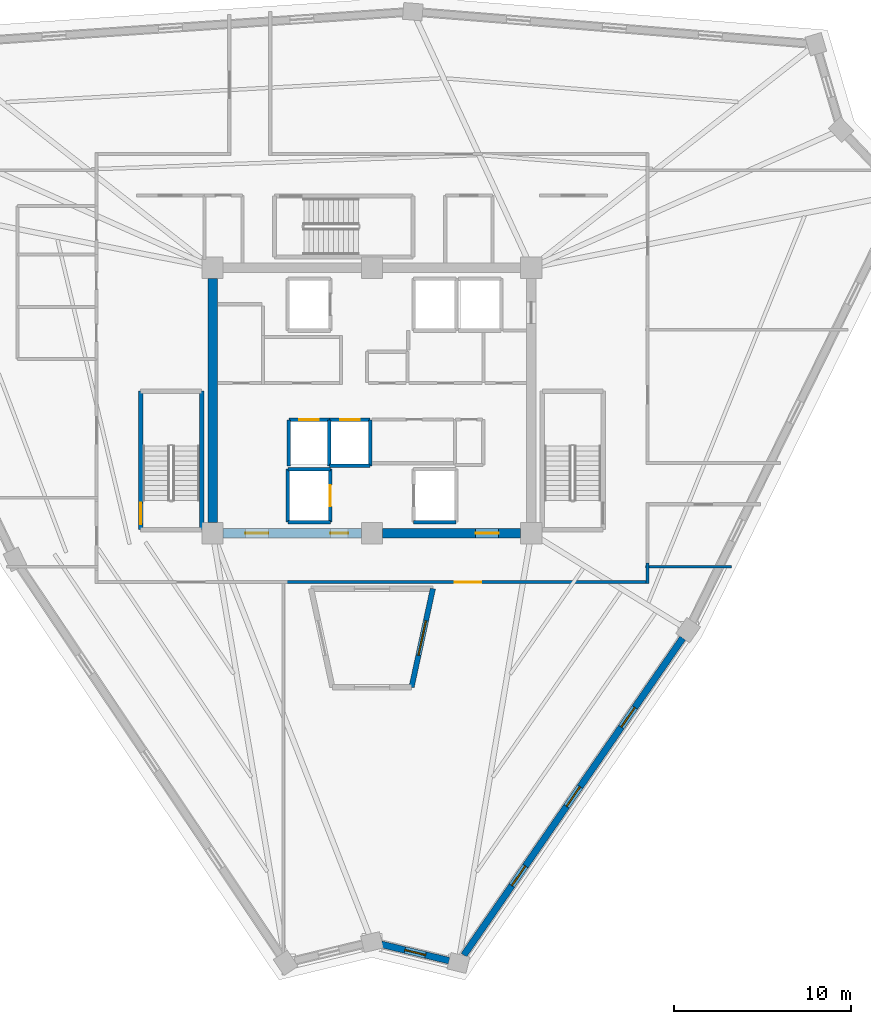
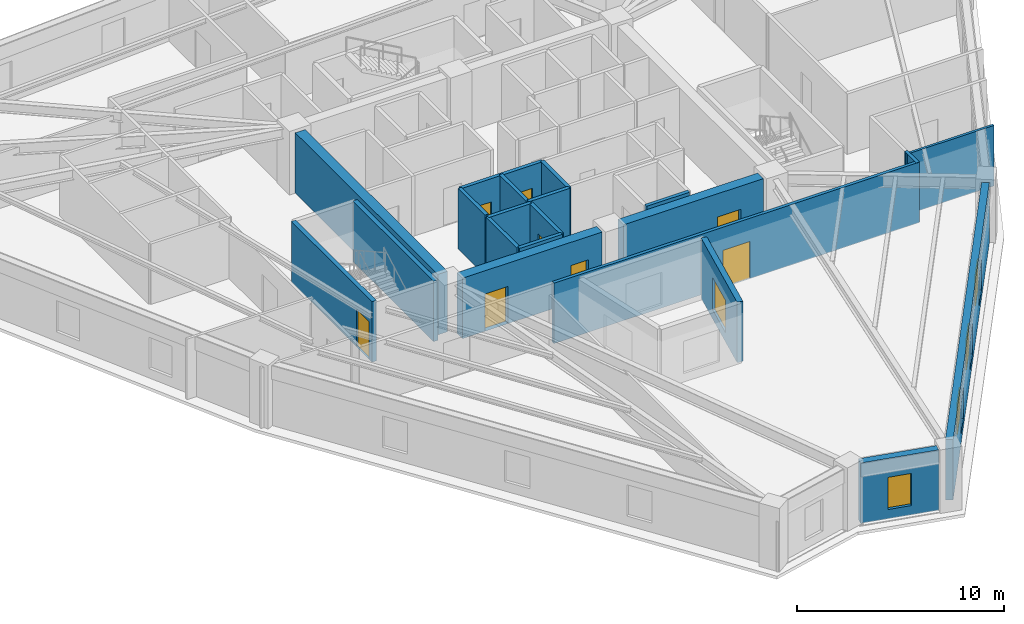
# One storey, part 3 of 10: 22 walls, 8 doors, 5 windows, 13 openings.
"""IFC4 building model written with IfcOpenShell, lengths in metres."""

import ifcopenshell
import ifcopenshell.guid

model = None  # the IFC model being written
_history = None  # IfcOwnerHistory: only IFC2X3 demands one
_inside = {}  # id of a spatial element -> (the spatial element, [elements in it])
_under = {}  # id of a project, library or spatial element -> (it, [spatial elements below it])
_declared = {}  # id of a project -> (the project, [libraries it declares])
_typed = {}  # id of a type object -> (the type object, [elements of that type])
_made_of = {}  # id of a material, layer set ... -> (it, [elements and type objects made of it])


def new_model(schema):
    """Start an empty IFC model of exactly this schema.

    Asked for "IFC4X3", IfcOpenShell would pick the latest addendum, in which some entities
    have other attributes; the version numbers below select the first issue.
    IFC2X3 requires an IfcOwnerHistory on every rooted entity: one is made here for all.
    """
    global model, _history
    if schema == "IFC4X3":
        model = ifcopenshell.file(schema_version=(4, 3, 0, 0))
    else:
        model = ifcopenshell.file(schema=schema)
    _inside.clear()
    _under.clear()
    _declared.clear()
    _typed.clear()
    _made_of.clear()
    _history = None
    if model.schema == "IFC2X3":
        org = make("IfcOrganization", Name="unknown")
        user = make(
            "IfcPersonAndOrganization",
            ThePerson=make("IfcPerson", FamilyName="unknown"),
            TheOrganization=org,
        )
        app = make(
            "IfcApplication",
            ApplicationDeveloper=org,
            Version="unknown",
            ApplicationFullName="unknown",
            ApplicationIdentifier="unknown",
        )
        _history = make(
            "IfcOwnerHistory",
            OwningUser=user,
            OwningApplication=app,
            ChangeAction="ADDED",
            CreationDate=0,
        )
    return model


def make(cls, **values):
    """One entity of the class cls with the attributes given. An attribute that is None is left unset."""
    return model.create_entity(
        cls, **{name: value for name, value in values.items() if value is not None}
    )


def rooted(cls, **values):
    """An entity with a GlobalId (a new one), such as an element, a storey or a relation."""
    return make(cls, GlobalId=ifcopenshell.guid.new(), OwnerHistory=_history, **values)


def si_unit(unit_type, name, prefix=None):
    """IfcSIUnit, for example si_unit("LENGTHUNIT", "METRE", prefix="MILLI")."""
    return make("IfcSIUnit", UnitType=unit_type, Prefix=prefix, Name=name)


def assignment(units):
    """IfcUnitAssignment: the units of a project."""
    return None if units is None else make("IfcUnitAssignment", Units=units)


def point(xyz):
    """IfcCartesianPoint."""
    return None if xyz is None else make("IfcCartesianPoint", Coordinates=xyz)


def direction(xyz):
    """IfcDirection."""
    return None if xyz is None else make("IfcDirection", DirectionRatios=xyz)


def frame(location, z_axis=None, x_axis=None):
    """IfcAxis2Placement3D, a coordinate frame: its origin and axes. An axis left out is left unset."""
    return make(
        "IfcAxis2Placement3D",
        Location=point(location),
        Axis=direction(z_axis),
        RefDirection=direction(x_axis),
    )


def frame_2d(location, x_axis=None):
    """IfcAxis2Placement2D, a coordinate frame in the plane: its origin and x axis."""
    return make(
        "IfcAxis2Placement2D", Location=point(location), RefDirection=direction(x_axis)
    )


def origin():
    """The frame at (0, 0, 0) with its axes left unset."""
    return frame((0.0, 0.0, 0.0))


def place(relative_to, where):
    """IfcLocalPlacement: puts the frame where relative to a parent placement (None: the world)."""
    return make(
        "IfcLocalPlacement", PlacementRelTo=relative_to, RelativePlacement=where
    )


def context(
    kind, dimensions, precision=None, world=None, true_north=None, identifier=None
):
    """IfcGeometricRepresentationContext, for example the 3D "Model" context."""
    return make(
        "IfcGeometricRepresentationContext",
        ContextIdentifier=identifier,
        ContextType=kind,
        CoordinateSpaceDimension=dimensions,
        Precision=precision,
        WorldCoordinateSystem=world,
        TrueNorth=true_north,
    )


def subcontext(parent, identifier, kind, view, scale=None):
    """IfcGeometricRepresentationSubContext, for example "Body" below "Model"."""
    return make(
        "IfcGeometricRepresentationSubContext",
        ContextIdentifier=identifier,
        ContextType=kind,
        ParentContext=parent,
        TargetScale=scale,
        TargetView=view,
    )


def project(units=None, contexts=None):
    """IfcProject with its units and contexts."""
    return rooted(
        "IfcProject",
        Name="project",
        RepresentationContexts=contexts,
        UnitsInContext=assignment(units),
    )


def spatial(cls, under=None, at=None, **own):
    """A site, building, storey or space (cls), placed at a placement, below another one or the project."""
    s = rooted(cls, ObjectPlacement=at, **own)
    if under is not None:
        _under.setdefault(under.id(), (under, []))[1].append(s)
    return s


def profile(cls, at=None, kind="AREA", **sizes):
    """A parametric profile (cls). Its sizes go by their IFC names, for example OverallWidth=200.0."""
    return make(cls, ProfileType=kind, Position=at, **sizes)


def rectangle(**sizes):
    """IfcRectangleProfileDef."""
    return profile("IfcRectangleProfileDef", **sizes)


def extrude(swept, where, along, depth):
    """IfcExtrudedAreaSolid: the profile swept, set in the frame where, extruded along a direction by depth."""
    return make(
        "IfcExtrudedAreaSolid",
        SweptArea=swept,
        Position=where,
        ExtrudedDirection=direction(along),
        Depth=depth,
    )


def shape(context_of_items, identifier, shape_type, items):
    """IfcShapeRepresentation: the items that make up one representation, for example the "Body"."""
    return make(
        "IfcShapeRepresentation",
        ContextOfItems=context_of_items,
        RepresentationIdentifier=identifier,
        RepresentationType=shape_type,
        Items=items,
    )


def source(mapping_origin, context_of_items, identifier, shape_type, items):
    """IfcRepresentationMap: a shape defined once, which mapped items show again and again."""
    return make(
        "IfcRepresentationMap",
        MappingOrigin=mapping_origin,
        MappedRepresentation=shape(context_of_items, identifier, shape_type, items),
    )


def transform(
    local_origin,
    x_axis=None,
    y_axis=None,
    z_axis=None,
    scale=None,
    scale2=None,
    scale3=None,
    uniform=True,
):
    """IfcCartesianTransformationOperator3D, or its non-uniform kind. x_axis, y_axis, z_axis: its Axis1, 2, 3."""
    if uniform:
        return make(
            "IfcCartesianTransformationOperator3D",
            Axis1=direction(x_axis),
            Axis2=direction(y_axis),
            LocalOrigin=point(local_origin),
            Scale=scale,
            Axis3=direction(z_axis),
        )
    return make(
        "IfcCartesianTransformationOperator3DnonUniform",
        Axis1=direction(x_axis),
        Axis2=direction(y_axis),
        LocalOrigin=point(local_origin),
        Scale=scale,
        Axis3=direction(z_axis),
        Scale2=scale2,
        Scale3=scale3,
    )


def mapped(mapping_source, mapping_target):
    """IfcMappedItem: shows the shape of a source again, moved by a transform."""
    return make(
        "IfcMappedItem", MappingSource=mapping_source, MappingTarget=mapping_target
    )


def material(Name=None, Category=None):
    """IfcMaterial."""
    return make("IfcMaterial", Name=Name, Category=Category)


def layer(
    of_material, thickness, ventilated=None, Name=None, Category=None, Priority=None
):
    """IfcMaterialLayer: one layer of a wall or slab, of a material (None: an air gap)."""
    return make(
        "IfcMaterialLayer",
        Material=of_material,
        LayerThickness=thickness,
        IsVentilated=ventilated,
        Name=Name,
        Category=Category,
        Priority=Priority,
    )


def layer_set(layers, Name=None):
    """IfcMaterialLayerSet."""
    return make("IfcMaterialLayerSet", MaterialLayers=layers, LayerSetName=Name)


def made_of(thing, what):
    """Note that an element or type object is made of a material, layer set ...; save() writes the relation."""
    if what is not None:
        _made_of.setdefault(what.id(), (what, []))[1].append(thing)
    return thing


def type_object(cls, material=None, **own):
    """A type object (cls), such as IfcWallType, which elements share."""
    return made_of(rooted(cls, **own), material)


def element(
    cls,
    number,
    at=None,
    inside=None,
    cuts=None,
    type_object=None,
    material=None,
    context=None,
    identifier="Body",
    shape_type=None,
    held_by="IfcProductDefinitionShape",
    body=None,
    shapes=None,
    **own,
):
    """One element of the class cls, such as IfcWall. Its Tag is "e" and its number.

    at: its placement. inside: the storey or other place that contains it. cuts: it is an
    opening in that element (IfcRelVoidsElement). A single representation is given by context,
    identifier, shape_type and body (its items); several are given by shapes. held_by: the class
    of the entity that holds the representations. save() writes the other relations.
    """
    e = rooted(cls, Tag="e%d" % number, ObjectPlacement=at, **own)
    if body is not None:
        shapes = [shape(context, identifier, shape_type, body)]
    if shapes is not None:
        e.Representation = make(held_by, Representations=shapes)
    if inside is not None:
        _inside.setdefault(inside.id(), (inside, []))[1].append(e)
    if cuts is not None:
        rooted(
            "IfcRelVoidsElement", RelatingBuildingElement=cuts, RelatedOpeningElement=e
        )
    if type_object is not None:
        _typed.setdefault(type_object.id(), (type_object, []))[1].append(e)
    return made_of(e, material)


def fill(opening, filler):
    """IfcRelFillsElement: the door or window that sits in an opening."""
    return rooted(
        "IfcRelFillsElement",
        RelatingOpeningElement=opening,
        RelatedBuildingElement=filler,
    )


def aggregate(whole, parts):
    """IfcRelAggregates: a whole, such as a stair, and the parts it consists of."""
    return rooted("IfcRelAggregates", RelatingObject=whole, RelatedObjects=parts)


def save(model, path):
    """Write the relations noted so far, then the file.

    IfcRelAggregates (storeys below a building ...), IfcRelContainedInSpatialStructure (elements
    in a storey), IfcRelDefinesByType, IfcRelAssociatesMaterial and IfcRelDeclares: one each for
    every whole, place, type object, material and project.
    """
    for whole, parts in _under.values():
        aggregate(whole, parts)
    for where, things in _inside.values():
        rooted(
            "IfcRelContainedInSpatialStructure",
            RelatedElements=things,
            RelatingStructure=where,
        )
    for kind, things in _typed.values():
        rooted("IfcRelDefinesByType", RelatedObjects=things, RelatingType=kind)
    for what, things in _made_of.values():
        rooted("IfcRelAssociatesMaterial", RelatedObjects=things, RelatingMaterial=what)
    for by, libraries in _declared.values():
        rooted("IfcRelDeclares", RelatingContext=by, RelatedDefinitions=libraries)
    model.write(path)


model = new_model("IFC4")

# Units and contexts
model_context = context("Model", 3, precision=1e-05, world=origin(), true_north=direction((0.0, 1.0)))
body_context = subcontext(model_context, "Body", "Model", "MODEL_VIEW")
ifc_project = project(units=[si_unit("LENGTHUNIT", "METRE"), si_unit("AREAUNIT", "SQUARE_METRE"), si_unit("VOLUMEUNIT", "CUBIC_METRE"), si_unit("PLANEANGLEUNIT", "RADIAN"), si_unit("MASSUNIT", "GRAM", prefix="KILO")], contexts=[model_context])

# Site, building, storey
site_placement = place(None, origin())
site = spatial("IfcSite", under=ifc_project, at=site_placement, CompositionType="ELEMENT")
building_placement = place(site_placement, origin())
building = spatial("IfcBuilding", under=site, at=building_placement, Name="Liaohun Quay Tower", CompositionType="ELEMENT")
storey_placement = place(building_placement, frame((0.0, 0.0, 309.0)))
storey = spatial("IfcBuildingStorey", under=building, at=storey_placement, Name="L80", CompositionType="ELEMENT", Elevation=309.0)

# Wall, opening, window
ifc_material_1 = material(Name="Concrete C50", Category="concrete")
ifc_layer_1 = layer(ifc_material_1, 0.300048828125, Name="Concrete C50", Category="concrete")
ifc_layer_set_1 = layer_set([ifc_layer_1], Name="Concrete C50")
wall_type_1 = type_object("IfcWallType", Name="WAL-ATR-300", PredefinedType="SOLIDWALL", material=ifc_layer_set_1)
wall_1_placement = place(storey_placement, frame((63.44091796875, 43.3701171875, 0.0), z_axis=(0.0, 0.0, 1.0), x_axis=(-0.21145116659, -0.977388563545, 0.0)))
wall_1 = element("IfcWall", 1, at=wall_1_placement, inside=storey, type_object=wall_type_1, Name="L80 Atrium Fire Compartment Wall 3", PredefinedType="SOLIDWALL", context=body_context, shape_type="SweptSolid", body=[
    extrude(rectangle(XDim=5.697998046875, YDim=0.300048828125, at=frame_2d((2.84912109375, 0.0))), origin(), (0.0, 0.0, 1.0), 3.570068359375),
])
shared_shape_1 = source(origin(), body_context, "Body", "SweptSolid", [
    extrude(rectangle(XDim=2.0, YDim=1.89990234375, at=frame_2d((1.0, 0.949951171875))), frame((0.0, 0.159912109375, 0.0), z_axis=(0.0, -1.0, 0.0), x_axis=(1.0, 0.0, 0.0)), (0.0, 0.0, 1.0), 0.320068359375),
])
opening_1_placement = place(wall_1_placement, frame((1.84912109375, 0.0, 0.550048828125)))
opening_1 = element("IfcOpeningElement", 2, at=opening_1_placement, cuts=wall_1, Name="Opening W07", PredefinedType="OPENING", context=body_context, shape_type="MappedRepresentation", body=[
    mapped(shared_shape_1, transform((0.0, 0.0, 0.0), x_axis=(1.0, 0.0, 0.0), y_axis=(0.0, 1.0, 0.0), z_axis=(0.0, 0.0, 1.0), scale=1.0)),
])
ifc_material_2 = material(Name="Class A 180-min fire-resistant insulated glazing", Category="glass")
window_type_1 = type_object("IfcWindowType", Name="WIN-ATR-FIR", PartitioningType="DOUBLE_PANEL_VERTICAL", PredefinedType="WINDOW", material=ifc_material_2)
shared_shape_2 = source(origin(), body_context, "Body", "SweptSolid", [
    extrude(rectangle(XDim=2.0, YDim=1.89990234375, at=frame_2d((1.0, 0.949951171875))), frame((0.0, 0.030029296875, 0.0), z_axis=(0.0, -1.0, 0.0), x_axis=(1.0, 0.0, 0.0)), (0.0, 0.0, 1.0), 0.06005859375),
])
window_1_placement = place(opening_1_placement, origin())
window_1 = element("IfcWindow", 3, at=window_1_placement, inside=storey, type_object=window_type_1, Name="L80 Atrium Fire-Resistant Glazing W07-3", OverallHeight=1.89990234375, OverallWidth=2.0, PartitioningType="DOUBLE_PANEL_VERTICAL", PredefinedType="WINDOW", context=body_context, shape_type="MappedRepresentation", body=[
    mapped(shared_shape_2, transform((0.0, 0.0, 0.0), x_axis=(1.0, 0.0, 0.0), y_axis=(0.0, 1.0, 0.0), z_axis=(0.0, 0.0, 1.0), scale=1.0)),
])
fill(opening_1, window_1)

# Wall, opening, door
ifc_layer_2 = layer(ifc_material_1, 0.550048828125, Name="Concrete C50", Category="concrete")
ifc_layer_set_2 = layer_set([ifc_layer_2], Name="Concrete C50")
wall_type_2 = type_object("IfcWallType", Name="WAL-COR-Z4", PredefinedType="SHEAR", material=ifc_layer_set_2)
wall_2_placement = place(storey_placement, frame((68.39990234375, 46.5, 0.0), z_axis=(0.0, 0.0, 1.0), x_axis=(-1.0, 0.0, 0.0)))
wall_2 = element("IfcWall", 4, at=wall_2_placement, inside=storey, type_object=wall_type_2, Name="L80 Central Core Shear Wall S-E", PredefinedType="SHEAR", context=body_context, shape_type="SweptSolid", body=[
    extrude(rectangle(XDim=7.7998046875, YDim=0.550048828125, at=frame_2d((3.89990234375, 0.0))), origin(), (0.0, 0.0, 1.0), 3.570068359375),
])
shared_shape_3 = source(origin(), body_context, "Body", "SweptSolid", [
    extrude(rectangle(XDim=1.300048828125, YDim=2.199951171875, at=frame_2d((0.64990234375, 1.10009765625))), frame((0.0, 0.284912109375, 0.0), z_axis=(0.0, -1.0, 0.0), x_axis=(1.0, 0.0, 0.0)), (0.0, 0.0, 1.0), 0.570068359375),
])
opening_2_placement = place(wall_2_placement, frame((1.25, 0.0, 0.0)))
opening_2 = element("IfcOpeningElement", 5, at=opening_2_placement, cuts=wall_2, Name="Opening FD1", PredefinedType="OPENING", context=body_context, shape_type="MappedRepresentation", body=[
    mapped(shared_shape_3, transform((0.0, 0.0, 0.0), x_axis=(1.0, 0.0, 0.0), y_axis=(0.0, 1.0, 0.0), z_axis=(0.0, 0.0, 1.0), scale=1.0)),
])
ifc_material_3 = material(Name="Galvanised steel smokeproof fire door", Category="steel")
door_type_1 = type_object("IfcDoorType", Name="DOR-FFL-1300", OperationType="NOTDEFINED", PredefinedType="DOOR", material=ifc_material_3)
shared_shape_4 = source(origin(), body_context, "Body", "SweptSolid", [
    extrude(rectangle(XDim=1.300048828125, YDim=2.199951171875, at=frame_2d((0.64990234375, 1.10009765625))), frame((0.0, 0.02490234375, 0.0), z_axis=(0.0, -1.0, 0.0), x_axis=(1.0, 0.0, 0.0)), (0.0, 0.0, 1.0), 0.050048828125),
])
door_1_placement = place(opening_2_placement, origin())
door_1 = element("IfcDoor", 6, at=door_1_placement, inside=storey, type_object=door_type_1, Name="L80 East Core Lift Lobby Smokeproof Door", OperationType="SINGLE_SWING_LEFT", OverallHeight=2.199951171875, OverallWidth=1.300048828125, PredefinedType="DOOR", context=body_context, shape_type="MappedRepresentation", body=[
    mapped(shared_shape_4, transform((0.0, 0.0, 0.0), x_axis=(1.0, 0.0, 0.0), y_axis=(0.0, 1.0, 0.0), z_axis=(0.0, 0.0, 1.0), scale=1.0)),
])
fill(opening_2, door_1)

# Wall, openings, doors
wall_3_placement = place(storey_placement, frame((59.39990234375, 46.5, 0.0), z_axis=(0.0, 0.0, 1.0), x_axis=(-1.0, 0.0, 0.0)))
wall_3 = element("IfcWall", 7, at=wall_3_placement, inside=storey, type_object=wall_type_2, Name="L80 Central Core Shear Wall S-W", PredefinedType="SHEAR", context=body_context, shape_type="SweptSolid", body=[
    extrude(rectangle(XDim=7.7998046875, YDim=0.550048828125, at=frame_2d((3.89990234375, 0.0))), origin(), (0.0, 0.0, 1.0), 3.570068359375),
])
opening_3_placement = place(wall_3_placement, frame((5.25, 0.0, 0.0)))
opening_3 = element("IfcOpeningElement", 8, at=opening_3_placement, cuts=wall_3, Name="Opening FD1", PredefinedType="OPENING", context=body_context, shape_type="MappedRepresentation", body=[
    mapped(shared_shape_3, transform((0.0, 0.0, 0.0), x_axis=(1.0, 0.0, 0.0), y_axis=(0.0, 1.0, 0.0), z_axis=(0.0, 0.0, 1.0), scale=1.0)),
])
shared_shape_5 = source(origin(), body_context, "Body", "SweptSolid", [
    extrude(rectangle(XDim=1.0, YDim=2.199951171875, at=frame_2d((0.5, 1.10009765625))), frame((0.0, 0.284912109375, 0.0), z_axis=(0.0, -1.0, 0.0), x_axis=(1.0, 0.0, 0.0)), (0.0, 0.0, 1.0), 0.570068359375),
])
opening_4_placement = place(wall_3_placement, frame((0.75, 0.0, 0.0)))
opening_4 = element("IfcOpeningElement", 9, at=opening_4_placement, cuts=wall_3, Name="Opening FD2", PredefinedType="OPENING", context=body_context, shape_type="MappedRepresentation", body=[
    mapped(shared_shape_5, transform((0.0, 0.0, 0.0), x_axis=(1.0, 0.0, 0.0), y_axis=(0.0, 1.0, 0.0), z_axis=(0.0, 0.0, 1.0), scale=1.0)),
])
door_2_placement = place(opening_3_placement, origin())
door_2 = element("IfcDoor", 10, at=door_2_placement, inside=storey, type_object=door_type_1, Name="L80 West Core Lift Lobby Smokeproof Door", OperationType="SINGLE_SWING_RIGHT", OverallHeight=2.199951171875, OverallWidth=1.300048828125, PredefinedType="DOOR", context=body_context, shape_type="MappedRepresentation", body=[
    mapped(shared_shape_4, transform((0.0, 0.0, 0.0), x_axis=(1.0, 0.0, 0.0), y_axis=(0.0, 1.0, 0.0), z_axis=(0.0, 0.0, 1.0), scale=1.0)),
])
fill(opening_3, door_2)
ifc_material_4 = material(Name="Galvanised steel smokeproof lobby fire door", Category="steel")
door_type_2 = type_object("IfcDoorType", Name="DOR-FFL-1000", OperationType="NOTDEFINED", PredefinedType="DOOR", material=ifc_material_4)
shared_shape_6 = source(origin(), body_context, "Body", "SweptSolid", [
    extrude(rectangle(XDim=1.0, YDim=2.199951171875, at=frame_2d((0.5, 1.10009765625))), frame((0.0, 0.02490234375, 0.0), z_axis=(0.0, -1.0, 0.0), x_axis=(1.0, 0.0, 0.0)), (0.0, 0.0, 1.0), 0.050048828125),
])
door_3_placement = place(opening_4_placement, origin())
door_3 = element("IfcDoor", 11, at=door_3_placement, inside=storey, type_object=door_type_2, Name="L80 South Firefighting Lobby Smokeproof Door", OperationType="SINGLE_SWING_LEFT", OverallHeight=2.199951171875, OverallWidth=1.0, PredefinedType="DOOR", context=body_context, shape_type="MappedRepresentation", body=[
    mapped(shared_shape_6, transform((0.0, 0.0, 0.0), x_axis=(1.0, 0.0, 0.0), y_axis=(0.0, 1.0, 0.0), z_axis=(0.0, 0.0, 1.0), scale=1.0)),
])
fill(opening_4, door_3)

# Wall
wall_4_placement = place(storey_placement, frame((51.0, 47.10009765625, 0.0), z_axis=(0.0, 0.0, 1.0), x_axis=(0.0, 1.0, 0.0)))
element("IfcWall", 12, at=wall_4_placement, inside=storey, type_object=wall_type_2, Name="L80 Central Core Shear Wall W", PredefinedType="SHEAR", context=body_context, shape_type="SweptSolid", body=[
    extrude(rectangle(XDim=13.7998046875, YDim=0.550048828125, at=frame_2d((6.89990234375, 0.0))), origin(), (0.0, 0.0, 1.0), 3.570068359375),
])

# Wall, opening, window
ifc_material_5 = material(Name="Precast concrete C50 insulated sandwich", Category="concrete")
ifc_layer_3 = layer(ifc_material_5, 0.3798828125, Name="Precast concrete C50 insulated sandwich", Category="concrete")
ifc_layer_set_3 = layer_set([ifc_layer_3], Name="Precast concrete C50 insulated sandwich")
wall_type_3 = type_object("IfcWallType", Name="WAL-EXT-Z34", PredefinedType="SOLIDWALL", material=ifc_layer_set_3)
wall_5_placement = place(storey_placement, frame((60.52490234375, 23.281005859375, 0.0), z_axis=(0.0, 0.0, 1.0), x_axis=(0.972065658594, -0.234709086705, 0.0)))
wall_5 = element("IfcWall", 13, at=wall_5_placement, inside=storey, type_object=wall_type_3, Name="L80 Brutalist Precast Pier Wall 01", PredefinedType="SOLIDWALL", context=body_context, shape_type="SweptSolid", body=[
    extrude(rectangle(XDim=3.9453125, YDim=0.3798828125, at=frame_2d((1.97265625, 0.0))), origin(), (0.0, 0.0, 1.0), 3.570068359375),
])
shared_shape_7 = source(origin(), body_context, "Body", "SweptSolid", [
    extrude(rectangle(XDim=1.199951171875, YDim=1.89990234375, at=frame_2d((0.60009765625, 0.949951171875))), frame((0.0, 0.199951171875, 0.0), z_axis=(0.0, -1.0, 0.0), x_axis=(1.0, 0.0, 0.0)), (0.0, 0.0, 1.0), 0.39990234375),
])
opening_5_placement = place(wall_5_placement, frame((1.373046875, 0.0, 0.550048828125)))
opening_5 = element("IfcOpeningElement", 14, at=opening_5_placement, cuts=wall_5, Name="Opening W05", PredefinedType="OPENING", context=body_context, shape_type="MappedRepresentation", body=[
    mapped(shared_shape_7, transform((0.0, 0.0, 0.0), x_axis=(1.0, 0.0, 0.0), y_axis=(0.0, 1.0, 0.0), z_axis=(0.0, 0.0, 1.0), scale=1.0)),
])
ifc_material_6 = material(Name="Triple Low-E corner notch glazing", Category="glass")
window_type_2 = type_object("IfcWindowType", Name="WIN-NOTCH", PartitioningType="SINGLE_PANEL", PredefinedType="WINDOW", material=ifc_material_6)
shared_shape_8 = source(origin(), body_context, "Body", "SweptSolid", [
    extrude(rectangle(XDim=1.199951171875, YDim=1.89990234375, at=frame_2d((0.60009765625, 0.949951171875))), frame((0.0, 0.030029296875, 0.0), z_axis=(0.0, -1.0, 0.0), x_axis=(1.0, 0.0, 0.0)), (0.0, 0.0, 1.0), 0.06005859375),
])
window_2_placement = place(opening_5_placement, origin())
window_2 = element("IfcWindow", 15, at=window_2_placement, inside=storey, type_object=window_type_2, Name="L80 Corner Notch Window W05-01", OverallHeight=1.89990234375, OverallWidth=1.199951171875, PartitioningType="SINGLE_PANEL", PredefinedType="WINDOW", context=body_context, shape_type="MappedRepresentation", body=[
    mapped(shared_shape_8, transform((0.0, 0.0, 0.0), x_axis=(1.0, 0.0, 0.0), y_axis=(0.0, 1.0, 0.0), z_axis=(0.0, 0.0, 1.0), scale=1.0)),
])
fill(opening_5, window_2)

# Wall, openings, windows
wall_6_placement = place(storey_placement, frame((65.19189453125, 22.672119140625, 0.0), z_axis=(0.0, 0.0, 1.0), x_axis=(0.568115456304, 0.822948861296, 0.0)))
wall_6 = element("IfcWall", 16, at=wall_6_placement, inside=storey, type_object=wall_type_3, Name="L80 Brutalist Precast Pier Wall 02", PredefinedType="SOLIDWALL", context=body_context, shape_type="SweptSolid", body=[
    extrude(rectangle(XDim=21.758056640625, YDim=0.3798828125, at=frame_2d((10.87890625, 0.0))), origin(), (0.0, 0.0, 1.0), 3.570068359375),
])
shared_shape_9 = source(origin(), body_context, "Body", "SweptSolid", [
    extrude(rectangle(XDim=1.35009765625, YDim=1.85009765625, at=frame_2d((0.675048828125, 0.925048828125))), frame((0.0, 0.199951171875, 0.0), z_axis=(0.0, -1.0, 0.0), x_axis=(1.0, 0.0, 0.0)), (0.0, 0.0, 1.0), 0.39990234375),
])
opening_6_placement = place(wall_6_placement, frame((4.764892578125, 0.0, 0.550048828125)))
opening_6 = element("IfcOpeningElement", 17, at=opening_6_placement, cuts=wall_6, Name="Opening W04", PredefinedType="OPENING", context=body_context, shape_type="MappedRepresentation", body=[
    mapped(shared_shape_9, transform((0.0, 0.0, 0.0), x_axis=(1.0, 0.0, 0.0), y_axis=(0.0, 1.0, 0.0), z_axis=(0.0, 0.0, 1.0), scale=1.0)),
])
opening_7_placement = place(wall_6_placement, frame((10.2041015625, 0.0, 0.550048828125)))
opening_7 = element("IfcOpeningElement", 18, at=opening_7_placement, cuts=wall_6, Name="Opening W04", PredefinedType="OPENING", context=body_context, shape_type="MappedRepresentation", body=[
    mapped(shared_shape_9, transform((0.0, 0.0, 0.0), x_axis=(1.0, 0.0, 0.0), y_axis=(0.0, 1.0, 0.0), z_axis=(0.0, 0.0, 1.0), scale=1.0)),
])
opening_8_placement = place(wall_6_placement, frame((15.64404296875, 0.0, 0.550048828125)))
opening_8 = element("IfcOpeningElement", 19, at=opening_8_placement, cuts=wall_6, Name="Opening W04", PredefinedType="OPENING", context=body_context, shape_type="MappedRepresentation", body=[
    mapped(shared_shape_9, transform((0.0, 0.0, 0.0), x_axis=(1.0, 0.0, 0.0), y_axis=(0.0, 1.0, 0.0), z_axis=(0.0, 0.0, 1.0), scale=1.0)),
])
ifc_material_7 = material(Name="Triple Low-E argon glazing in thermally broken aluminium", Category="aluminium")
window_type_3 = type_object("IfcWindowType", Name="WIN-PUN-Z4", PartitioningType="SINGLE_PANEL", PredefinedType="WINDOW", material=ifc_material_7)
shared_shape_10 = source(origin(), body_context, "Body", "SweptSolid", [
    extrude(rectangle(XDim=1.35009765625, YDim=1.85009765625, at=frame_2d((0.675048828125, 0.925048828125))), frame((0.0, 0.030029296875, 0.0), z_axis=(0.0, -1.0, 0.0), x_axis=(1.0, 0.0, 0.0)), (0.0, 0.0, 1.0), 0.06005859375),
])
window_3_placement = place(opening_6_placement, origin())
window_3 = element("IfcWindow", 20, at=window_3_placement, inside=storey, type_object=window_type_3, Name="L80 Recessed Cold-Climate Punched Window 02-1", OverallHeight=1.85009765625, OverallWidth=1.35009765625, PartitioningType="SINGLE_PANEL", PredefinedType="WINDOW", context=body_context, shape_type="MappedRepresentation", body=[
    mapped(shared_shape_10, transform((0.0, 0.0, 0.0), x_axis=(1.0, 0.0, 0.0), y_axis=(0.0, 1.0, 0.0), z_axis=(0.0, 0.0, 1.0), scale=1.0)),
])
fill(opening_6, window_3)
window_4_placement = place(opening_7_placement, origin())
window_4 = element("IfcWindow", 21, at=window_4_placement, inside=storey, type_object=window_type_3, Name="L80 Recessed Cold-Climate Punched Window 02-2", OverallHeight=1.85009765625, OverallWidth=1.35009765625, PartitioningType="SINGLE_PANEL", PredefinedType="WINDOW", context=body_context, shape_type="MappedRepresentation", body=[
    mapped(shared_shape_10, transform((0.0, 0.0, 0.0), x_axis=(1.0, 0.0, 0.0), y_axis=(0.0, 1.0, 0.0), z_axis=(0.0, 0.0, 1.0), scale=1.0)),
])
fill(opening_7, window_4)
window_5_placement = place(opening_8_placement, origin())
window_5 = element("IfcWindow", 22, at=window_5_placement, inside=storey, type_object=window_type_3, Name="L80 Recessed Cold-Climate Punched Window 02-3", OverallHeight=1.85009765625, OverallWidth=1.35009765625, PartitioningType="SINGLE_PANEL", PredefinedType="WINDOW", context=body_context, shape_type="MappedRepresentation", body=[
    mapped(shared_shape_10, transform((0.0, 0.0, 0.0), x_axis=(1.0, 0.0, 0.0), y_axis=(0.0, 1.0, 0.0), z_axis=(0.0, 0.0, 1.0), scale=1.0)),
])
fill(opening_8, window_5)

# Wall, opening, door
ifc_material_8 = material(Name="Autoclaved aerated concrete blockwork", Category="masonry")
ifc_layer_4 = layer(ifc_material_8, 0.179931640625, Name="Autoclaved aerated concrete blockwork", Category="masonry")
ifc_layer_set_4 = layer_set([ifc_layer_4], Name="Autoclaved aerated concrete blockwork")
wall_type_4 = type_object("IfcWallType", Name="WAL-PRT-COR", PredefinedType="PARTITIONING", material=ifc_layer_set_4)
wall_7_placement = place(storey_placement, frame((75.6298828125, 43.739990234375, 0.0), z_axis=(0.0, 0.0, 1.0), x_axis=(-1.0, 0.0, 0.0)))
wall_7 = element("IfcWall", 23, at=wall_7_placement, inside=storey, type_object=wall_type_4, Name="L80 Interior Partition Wall 022", PredefinedType="PARTITIONING", context=body_context, shape_type="SweptSolid", body=[
    extrude(rectangle(XDim=20.414794921875, YDim=0.179931640625, at=frame_2d((10.20751953125, 0.0))), origin(), (0.0, 0.0, 1.0), 3.570068359375),
])
shared_shape_11 = source(origin(), body_context, "Body", "SweptSolid", [
    extrude(rectangle(XDim=1.5, YDim=2.199951171875, at=frame_2d((0.75, 1.10009765625))), frame((0.0, 0.099853515625, 0.0), z_axis=(0.0, -1.0, 0.0), x_axis=(1.0, 0.0, 0.0)), (0.0, 0.0, 1.0), 0.199951171875),
])
opening_9_placement = place(wall_7_placement, frame((9.45703125, 0.0, 0.0)))
opening_9 = element("IfcOpeningElement", 24, at=opening_9_placement, cuts=wall_7, Name="Opening OD2", PredefinedType="OPENING", context=body_context, shape_type="MappedRepresentation", body=[
    mapped(shared_shape_11, transform((0.0, 0.0, 0.0), x_axis=(1.0, 0.0, 0.0), y_axis=(0.0, 1.0, 0.0), z_axis=(0.0, 0.0, 1.0), scale=1.0)),
])
ifc_material_9 = material(Name="Acoustic oak veneer double door")
door_type_3 = type_object("IfcDoorType", Name="DOR-OFF-1500", OperationType="DOUBLE_DOOR_SINGLE_SWING", PredefinedType="DOOR", material=ifc_material_9)
shared_shape_12 = source(origin(), body_context, "Body", "SweptSolid", [
    extrude(rectangle(XDim=1.5, YDim=2.199951171875, at=frame_2d((0.75, 1.10009765625))), frame((0.0, 0.02490234375, 0.0), z_axis=(0.0, -1.0, 0.0), x_axis=(1.0, 0.0, 0.0)), (0.0, 0.0, 1.0), 0.050048828125),
])
door_4_placement = place(opening_9_placement, origin())
door_4 = element("IfcDoor", 25, at=door_4_placement, inside=storey, type_object=door_type_3, Name="L80 Corporate Exhibition Gallery 08 Door", OperationType="DOUBLE_DOOR_SINGLE_SWING", OverallHeight=2.199951171875, OverallWidth=1.5, PredefinedType="DOOR", context=body_context, shape_type="MappedRepresentation", body=[
    mapped(shared_shape_12, transform((0.0, 0.0, 0.0), x_axis=(1.0, 0.0, 0.0), y_axis=(0.0, 1.0, 0.0), z_axis=(0.0, 0.0, 1.0), scale=1.0)),
])
fill(opening_9, door_4)

# Walls
wall_8_placement = place(storey_placement, frame((75.56005859375, 44.81494140625, 0.0), z_axis=(0.0, 0.0, 1.0), x_axis=(0.0, -1.0, 0.0)))
element("IfcWall", 26, at=wall_8_placement, inside=storey, type_object=wall_type_4, Name="L80 Interior Partition Wall 048", PredefinedType="PARTITIONING", context=body_context, shape_type="SweptSolid", body=[
    extrude(rectangle(XDim=1.14501953125, YDim=0.179931640625, at=frame_2d((0.572509765625, 0.0))), origin(), (0.0, 0.0, 1.0), 3.570068359375),
])
ifc_material_10 = material(Name="Gypsum board on twin steel studs", Category="steel")
ifc_layer_5 = layer(ifc_material_10, 0.139892578125, Name="Gypsum board on twin steel studs", Category="steel")
ifc_layer_set_5 = layer_set([ifc_layer_5], Name="Gypsum board on twin steel studs")
wall_type_5 = type_object("IfcWallType", Name="WAL-PRT-OFF", PredefinedType="PARTITIONING", material=ifc_layer_set_5)
wall_9_placement = place(storey_placement, frame((75.4599609375, 44.60009765625, 0.0), z_axis=(0.0, 0.0, 1.0), x_axis=(1.0, 0.0, 0.0)))
element("IfcWall", 27, at=wall_9_placement, inside=storey, type_object=wall_type_5, Name="L80 Interior Partition Wall 053", PredefinedType="PARTITIONING", context=body_context, shape_type="SweptSolid", body=[
    extrude(rectangle(XDim=4.85693359375, YDim=0.139892578125, at=frame_2d((2.428466796875, 0.0))), origin(), (0.0, 0.0, 1.0), 3.570068359375),
])
ifc_layer_6 = layer(ifc_material_1, 0.239990234375, Name="Concrete C50", Category="concrete")
ifc_layer_set_6 = layer_set([ifc_layer_6], Name="Concrete C50")
wall_type_6 = type_object("IfcWallType", Name="WAL-SHF-200", PredefinedType="SOLIDWALL", material=ifc_layer_set_6)
wall_10_placement = place(storey_placement, frame((50.3798828125, 46.699951171875, 0.0), z_axis=(0.0, 0.0, 1.0), x_axis=(0.0, 1.0, 0.0)))
element("IfcWall", 28, at=wall_10_placement, inside=storey, type_object=wall_type_6, Name="L80 Stairwell ST-1 Structural Core Wall E", PredefinedType="SOLIDWALL", context=body_context, shape_type="SweptSolid", body=[
    extrude(rectangle(XDim=7.820068359375, YDim=0.239990234375, at=frame_2d((3.91015625, 0.0))), origin(), (0.0, 0.0, 1.0), 3.570068359375),
])

# Wall, opening, door
wall_11_placement = place(storey_placement, frame((46.93994140625, 54.52001953125, 0.0), z_axis=(0.0, 0.0, 1.0), x_axis=(0.0, -1.0, 0.0)))
wall_11 = element("IfcWall", 29, at=wall_11_placement, inside=storey, type_object=wall_type_6, Name="L80 Stairwell ST-1 Structural Core Wall W", PredefinedType="SOLIDWALL", context=body_context, shape_type="SweptSolid", body=[
    extrude(rectangle(XDim=7.820068359375, YDim=0.239990234375, at=frame_2d((3.91015625, 0.0))), origin(), (0.0, 0.0, 1.0), 3.570068359375),
])
shared_shape_13 = source(origin(), body_context, "Body", "SweptSolid", [
    extrude(rectangle(XDim=1.199951171875, YDim=2.199951171875, at=frame_2d((0.60009765625, 1.10009765625))), frame((0.0, 0.1298828125, 0.0), z_axis=(0.0, -1.0, 0.0), x_axis=(1.0, 0.0, 0.0)), (0.0, 0.0, 1.0), 0.260009765625),
])
opening_10_placement = place(wall_11_placement, frame((6.300048828125, 0.0, 0.0)))
opening_10 = element("IfcOpeningElement", 30, at=opening_10_placement, cuts=wall_11, Name="Opening SD1", PredefinedType="OPENING", context=body_context, shape_type="MappedRepresentation", body=[
    mapped(shared_shape_13, transform((0.0, 0.0, 0.0), x_axis=(1.0, 0.0, 0.0), y_axis=(0.0, 1.0, 0.0), z_axis=(0.0, 0.0, 1.0), scale=1.0)),
])
ifc_material_11 = material(Name="Galvanised steel fire door", Category="steel")
door_type_4 = type_object("IfcDoorType", Name="DOR-STR-1200", OperationType="NOTDEFINED", PredefinedType="DOOR", material=ifc_material_11)
shared_shape_14 = source(origin(), body_context, "Body", "SweptSolid", [
    extrude(rectangle(XDim=1.199951171875, YDim=2.199951171875, at=frame_2d((0.60009765625, 1.10009765625))), frame((0.0, 0.02490234375, 0.0), z_axis=(0.0, -1.0, 0.0), x_axis=(1.0, 0.0, 0.0)), (0.0, 0.0, 1.0), 0.050048828125),
])
door_5_placement = place(opening_10_placement, origin())
door_5 = element("IfcDoor", 31, at=door_5_placement, inside=storey, type_object=door_type_4, Name="L80 Protected Stair ST-1 Fire Door", OperationType="SINGLE_SWING_LEFT", OverallHeight=2.199951171875, OverallWidth=1.199951171875, PredefinedType="DOOR", context=body_context, shape_type="MappedRepresentation", body=[
    mapped(shared_shape_14, transform((0.0, 0.0, 0.0), x_axis=(1.0, 0.0, 0.0), y_axis=(0.0, 1.0, 0.0), z_axis=(0.0, 0.0, 1.0), scale=1.0)),
])
fill(opening_10, door_5)

# Wall
wall_12_placement = place(storey_placement, frame((55.25, 47.1201171875, 0.0), z_axis=(0.0, 0.0, 1.0), x_axis=(1.0, 0.0, 0.0)))
element("IfcWall", 32, at=wall_12_placement, inside=storey, type_object=wall_type_6, Name="L80 Lift FF-01 Hoistway Wall S", PredefinedType="SOLIDWALL", context=body_context, shape_type="SweptSolid", body=[
    extrude(rectangle(XDim=2.39990234375, YDim=0.199951171875, at=frame_2d((1.199951171875, 0.0))), origin(), (0.0, 0.0, 1.0), 3.570068359375),
])

# Wall, opening, door
wall_13_placement = place(storey_placement, frame((57.64990234375, 47.1201171875, 0.0), z_axis=(0.0, 0.0, 1.0), x_axis=(0.0, 1.0, 0.0)))
wall_13 = element("IfcWall", 33, at=wall_13_placement, inside=storey, type_object=wall_type_6, Name="L80 Lift FF-01 Hoistway Wall E", PredefinedType="SOLIDWALL", context=body_context, shape_type="SweptSolid", body=[
    extrude(rectangle(XDim=3.0, YDim=0.199951171875, at=frame_2d((1.5, 0.0))), origin(), (0.0, 0.0, 1.0), 3.570068359375),
])
shared_shape_15 = source(origin(), body_context, "Body", "SweptSolid", [
    extrude(rectangle(XDim=1.199951171875, YDim=2.300048828125, at=frame_2d((0.60009765625, 1.14990234375))), frame((0.0, 0.10986328125, 0.0), z_axis=(0.0, -1.0, 0.0), x_axis=(1.0, 0.0, 0.0)), (0.0, 0.0, 1.0), 0.219970703125),
])
opening_11_placement = place(wall_13_placement, frame((0.89990234375, 0.0, 0.0)))
opening_11 = element("IfcOpeningElement", 34, at=opening_11_placement, cuts=wall_13, Name="Opening LD2", PredefinedType="OPENING", context=body_context, shape_type="MappedRepresentation", body=[
    mapped(shared_shape_15, transform((0.0, 0.0, 0.0), x_axis=(1.0, 0.0, 0.0), y_axis=(0.0, 1.0, 0.0), z_axis=(0.0, 0.0, 1.0), scale=1.0)),
])
ifc_material_12 = material(Name="Brushed stainless steel stretcher landing door", Category="steel")
door_type_5 = type_object("IfcDoorType", Name="DOR-LFT-1200", OperationType="SLIDING_TO_LEFT", PredefinedType="DOOR", material=ifc_material_12)
shared_shape_16 = source(origin(), body_context, "Body", "SweptSolid", [
    extrude(rectangle(XDim=1.199951171875, YDim=2.300048828125, at=frame_2d((0.60009765625, 1.14990234375))), frame((0.0, 0.02490234375, 0.0), z_axis=(0.0, -1.0, 0.0), x_axis=(1.0, 0.0, 0.0)), (0.0, 0.0, 1.0), 0.050048828125),
])
door_6_placement = place(opening_11_placement, origin())
door_6 = element("IfcDoor", 35, at=door_6_placement, inside=storey, type_object=door_type_5, Name="L80 Lift FF-01 Sliding Landing Door", OperationType="SLIDING_TO_LEFT", OverallHeight=2.300048828125, OverallWidth=1.199951171875, PredefinedType="DOOR", context=body_context, shape_type="MappedRepresentation", body=[
    mapped(shared_shape_16, transform((0.0, 0.0, 0.0), x_axis=(1.0, 0.0, 0.0), y_axis=(0.0, 1.0, 0.0), z_axis=(0.0, 0.0, 1.0), scale=1.0)),
])
fill(opening_11, door_6)

# Walls
wall_14_placement = place(storey_placement, frame((57.64990234375, 50.1201171875, 0.0), z_axis=(0.0, 0.0, 1.0), x_axis=(-1.0, 0.0, 0.0)))
element("IfcWall", 36, at=wall_14_placement, inside=storey, type_object=wall_type_6, Name="L80 Lift FF-01 Hoistway Wall N", PredefinedType="SOLIDWALL", context=body_context, shape_type="SweptSolid", body=[
    extrude(rectangle(XDim=2.39990234375, YDim=0.199951171875, at=frame_2d((1.199951171875, 0.0))), origin(), (0.0, 0.0, 1.0), 3.570068359375),
])
wall_15_placement = place(storey_placement, frame((55.25, 50.1201171875, 0.0), z_axis=(0.0, 0.0, 1.0), x_axis=(0.0, -1.0, 0.0)))
element("IfcWall", 37, at=wall_15_placement, inside=storey, type_object=wall_type_6, Name="L80 Lift FF-01 Hoistway Wall W", PredefinedType="SOLIDWALL", context=body_context, shape_type="SweptSolid", body=[
    extrude(rectangle(XDim=3.0, YDim=0.199951171875, at=frame_2d((1.5, 0.0))), origin(), (0.0, 0.0, 1.0), 3.570068359375),
])
wall_16_placement = place(storey_placement, frame((62.35009765625, 47.1201171875, 0.0), z_axis=(0.0, 0.0, 1.0), x_axis=(1.0, 0.0, 0.0)))
element("IfcWall", 38, at=wall_16_placement, inside=storey, type_object=wall_type_6, Name="L80 Lift FF-02 Hoistway Wall S", PredefinedType="SOLIDWALL", context=body_context, shape_type="SweptSolid", body=[
    extrude(rectangle(XDim=2.39990234375, YDim=0.199951171875, at=frame_2d((1.199951171875, 0.0))), origin(), (0.0, 0.0, 1.0), 3.570068359375),
])
wall_17_placement = place(storey_placement, frame((57.60009765625, 50.300048828125, 0.0), z_axis=(0.0, 0.0, 1.0), x_axis=(0.0, 1.0, 0.0)))
element("IfcWall", 39, at=wall_17_placement, inside=storey, type_object=wall_type_6, Name="L80 Lift PL-4A Hoistway Wall E", PredefinedType="SOLIDWALL", context=body_context, shape_type="SweptSolid", body=[
    extrude(rectangle(XDim=2.599853515625, YDim=0.199951171875, at=frame_2d((1.2998046875, 0.0))), origin(), (0.0, 0.0, 1.0), 3.570068359375),
])

# Wall, opening, door
wall_18_placement = place(storey_placement, frame((57.60009765625, 52.89990234375, 0.0), z_axis=(0.0, 0.0, 1.0), x_axis=(-1.0, 0.0, 0.0)))
wall_18 = element("IfcWall", 40, at=wall_18_placement, inside=storey, type_object=wall_type_6, Name="L80 Lift PL-4A Hoistway Wall N", PredefinedType="SOLIDWALL", context=body_context, shape_type="SweptSolid", body=[
    extrude(rectangle(XDim=2.300048828125, YDim=0.199951171875, at=frame_2d((1.14990234375, 0.0))), origin(), (0.0, 0.0, 1.0), 3.570068359375),
])
shared_shape_17 = source(origin(), body_context, "Body", "SweptSolid", [
    extrude(rectangle(XDim=1.10009765625, YDim=2.199951171875, at=frame_2d((0.550048828125, 1.10009765625))), frame((0.0, 0.10986328125, 0.0), z_axis=(0.0, -1.0, 0.0), x_axis=(1.0, 0.0, 0.0)), (0.0, 0.0, 1.0), 0.219970703125),
])
opening_12_placement = place(wall_18_placement, frame((0.60009765625, 0.0, 0.0)))
opening_12 = element("IfcOpeningElement", 41, at=opening_12_placement, cuts=wall_18, Name="Opening LD1", PredefinedType="OPENING", context=body_context, shape_type="MappedRepresentation", body=[
    mapped(shared_shape_17, transform((0.0, 0.0, 0.0), x_axis=(1.0, 0.0, 0.0), y_axis=(0.0, 1.0, 0.0), z_axis=(0.0, 0.0, 1.0), scale=1.0)),
])
ifc_material_13 = material(Name="Brushed stainless steel landing door", Category="steel")
door_type_6 = type_object("IfcDoorType", Name="DOR-LFT-1100", OperationType="SLIDING_TO_LEFT", PredefinedType="DOOR", material=ifc_material_13)
shared_shape_18 = source(origin(), body_context, "Body", "SweptSolid", [
    extrude(rectangle(XDim=1.10009765625, YDim=2.199951171875, at=frame_2d((0.550048828125, 1.10009765625))), frame((0.0, 0.02490234375, 0.0), z_axis=(0.0, -1.0, 0.0), x_axis=(1.0, 0.0, 0.0)), (0.0, 0.0, 1.0), 0.050048828125),
])
door_7_placement = place(opening_12_placement, origin())
door_7 = element("IfcDoor", 42, at=door_7_placement, inside=storey, type_object=door_type_6, Name="L80 Lift PL-4A Sliding Landing Door", OperationType="SLIDING_TO_LEFT", OverallHeight=2.199951171875, OverallWidth=1.10009765625, PredefinedType="DOOR", context=body_context, shape_type="MappedRepresentation", body=[
    mapped(shared_shape_18, transform((0.0, 0.0, 0.0), x_axis=(1.0, 0.0, 0.0), y_axis=(0.0, 1.0, 0.0), z_axis=(0.0, 0.0, 1.0), scale=1.0)),
])
fill(opening_12, door_7)

# Walls
wall_19_placement = place(storey_placement, frame((55.300048828125, 52.89990234375, 0.0), z_axis=(0.0, 0.0, 1.0), x_axis=(0.0, -1.0, 0.0)))
element("IfcWall", 43, at=wall_19_placement, inside=storey, type_object=wall_type_6, Name="L80 Lift PL-4A Hoistway Wall W", PredefinedType="SOLIDWALL", context=body_context, shape_type="SweptSolid", body=[
    extrude(rectangle(XDim=2.599853515625, YDim=0.199951171875, at=frame_2d((1.2998046875, 0.0))), origin(), (0.0, 0.0, 1.0), 3.570068359375),
])
wall_20_placement = place(storey_placement, frame((57.60009765625, 50.300048828125, 0.0), z_axis=(0.0, 0.0, 1.0), x_axis=(1.0, 0.0, 0.0)))
element("IfcWall", 44, at=wall_20_placement, inside=storey, type_object=wall_type_6, Name="L80 Lift PL-4B Hoistway Wall S", PredefinedType="SOLIDWALL", context=body_context, shape_type="SweptSolid", body=[
    extrude(rectangle(XDim=2.2998046875, YDim=0.199951171875, at=frame_2d((1.14990234375, 0.0))), origin(), (0.0, 0.0, 1.0), 3.570068359375),
])
wall_21_placement = place(storey_placement, frame((59.89990234375, 50.300048828125, 0.0), z_axis=(0.0, 0.0, 1.0), x_axis=(0.0, 1.0, 0.0)))
element("IfcWall", 45, at=wall_21_placement, inside=storey, type_object=wall_type_6, Name="L80 Lift PL-4B Hoistway Wall E", PredefinedType="SOLIDWALL", context=body_context, shape_type="SweptSolid", body=[
    extrude(rectangle(XDim=2.599853515625, YDim=0.199951171875, at=frame_2d((1.2998046875, 0.0))), origin(), (0.0, 0.0, 1.0), 3.570068359375),
])

# Wall, opening, door
wall_22_placement = place(storey_placement, frame((59.89990234375, 52.89990234375, 0.0), z_axis=(0.0, 0.0, 1.0), x_axis=(-1.0, 0.0, 0.0)))
wall_22 = element("IfcWall", 46, at=wall_22_placement, inside=storey, type_object=wall_type_6, Name="L80 Lift PL-4B Hoistway Wall N", PredefinedType="SOLIDWALL", context=body_context, shape_type="SweptSolid", body=[
    extrude(rectangle(XDim=2.2998046875, YDim=0.199951171875, at=frame_2d((1.14990234375, 0.0))), origin(), (0.0, 0.0, 1.0), 3.570068359375),
])
opening_13_placement = place(wall_22_placement, frame((0.60009765625, 0.0, 0.0)))
opening_13 = element("IfcOpeningElement", 47, at=opening_13_placement, cuts=wall_22, Name="Opening LD1", PredefinedType="OPENING", context=body_context, shape_type="MappedRepresentation", body=[
    mapped(shared_shape_17, transform((0.0, 0.0, 0.0), x_axis=(1.0, 0.0, 0.0), y_axis=(0.0, 1.0, 0.0), z_axis=(0.0, 0.0, 1.0), scale=1.0)),
])
door_8_placement = place(opening_13_placement, origin())
door_8 = element("IfcDoor", 48, at=door_8_placement, inside=storey, type_object=door_type_6, Name="L80 Lift PL-4B Sliding Landing Door", OperationType="SLIDING_TO_LEFT", OverallHeight=2.199951171875, OverallWidth=1.10009765625, PredefinedType="DOOR", context=body_context, shape_type="MappedRepresentation", body=[
    mapped(shared_shape_18, transform((0.0, 0.0, 0.0), x_axis=(1.0, 0.0, 0.0), y_axis=(0.0, 1.0, 0.0), z_axis=(0.0, 0.0, 1.0), scale=1.0)),
])
fill(opening_13, door_8)

save(model, "model.ifc")
